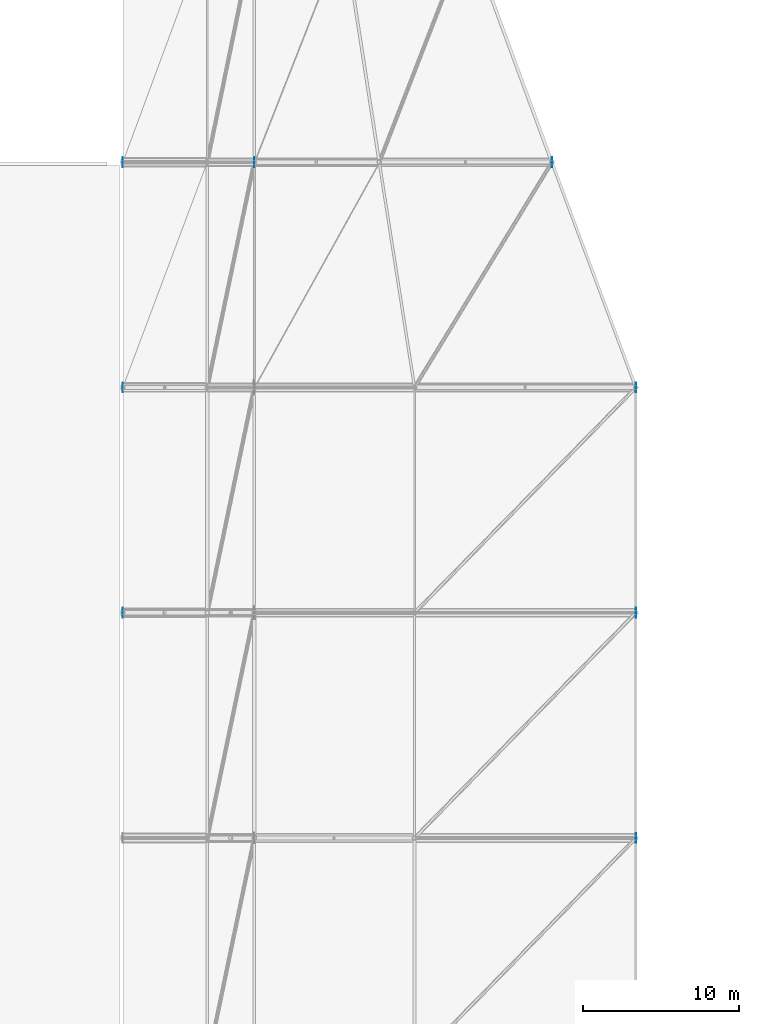
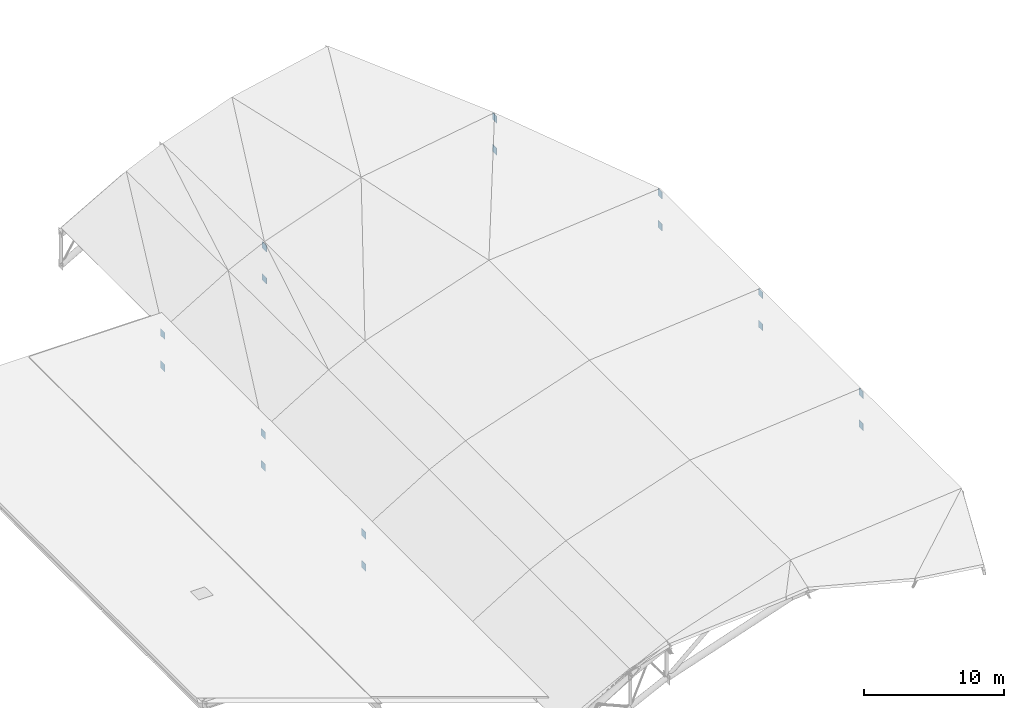
# One storey, part 31 of 36: 16 plates.
"""IFC4 building model written with IfcOpenShell, lengths in metres."""

from ifc_helpers import new_model, si_unit, direction, frame, origin, origin_2d, place, context, subcontext, project, spatial, rectangle, extrude, material, layer, layer_set, type_object, element, save


model = new_model("IFC4")

# Units and contexts
model_context = context("Model", 3, precision=1e-05, world=origin(), true_north=direction((0.0, 1.0)))
body_context = subcontext(model_context, "Body", "Model", "MODEL_VIEW")
ifc_project = project(units=[si_unit("LENGTHUNIT", "METRE"), si_unit("AREAUNIT", "SQUARE_METRE"), si_unit("VOLUMEUNIT", "CUBIC_METRE"), si_unit("PLANEANGLEUNIT", "RADIAN"), si_unit("MASSUNIT", "GRAM", prefix="KILO")], contexts=[model_context])

# Site, building, storey
site_placement = place(None, origin())
site = spatial("IfcSite", under=ifc_project, at=site_placement, CompositionType="ELEMENT")
building_placement = place(site_placement, origin())
building = spatial("IfcBuilding", under=site, at=building_placement, Name="Koshinbarg Plaza Stadium", CompositionType="ELEMENT")
storey_placement = place(building_placement, frame((0.0, 0.0, 34.199951171875)))
storey = spatial("IfcBuildingStorey", under=building, at=storey_placement, Name="RF", CompositionType="ELEMENT", Elevation=34.199951171875)

# Plates
ifc_material = material(Name="Steel S355", Category="steel")
ifc_layer_1 = layer(ifc_material, 0.02490234375)
ifc_layer_set_1 = layer_set([ifc_layer_1], Name="Steel S355")
plate_type_1 = type_object("IfcPlateType", Name="PLT-GUS-01", PredefinedType="USERDEFINED", material=ifc_layer_set_1)
for number, where, z_axis, x_axis, name in (
    (1, (54.60009765625, 111.89990234375, 2.421875), (0.0, 0.0, 1.0), (1.0, 0.0, 0.0), "Roof truss node cap plate KN-03 WRB-07-3T"),
    (2, (54.60009765625, 111.89990234375, -0.3779296875), (0.0, 0.0, 1.0), (1.0, 0.0, 0.0), "Roof truss node cap plate KN-03 WRB-07-3B"),
):
    element("IfcPlate", number, at=place(storey_placement, frame(where, z_axis=z_axis, x_axis=x_axis)), inside=storey, type_object=plate_type_1, Name=name, ObjectType="GUSSET_PLATE", PredefinedType="USERDEFINED", context=body_context, shape_type="SweptSolid", body=[
        extrude(rectangle(XDim=0.02490234375, YDim=0.64990234375, at=origin_2d()), origin(), (0.0, 0.0, 1.0), 0.550048828125),
    ])
ifc_layer_2 = layer(ifc_material, 0.02001953125)
ifc_layer_set_2 = layer_set([ifc_layer_2], Name="Steel S355")
plate_type_2 = type_object("IfcPlateType", Name="PLT-GUS-04", PredefinedType="USERDEFINED", material=ifc_layer_set_2)
for number, where, z_axis, x_axis, name in (
    (3, (79.0, 68.699951171875, 7.236328125), (0.0, 0.0, 1.0), (1.0, 0.0, 0.0), "Roof truss node cap plate KN-02 WRB-04-5T"),
    (4, (79.0, 68.699951171875, 4.436279296875), (0.0, 0.0, 1.0), (1.0, 0.0, 0.0), "Roof truss node cap plate KN-02 WRB-04-5B"),
    (5, (46.199951171875, 83.10009765625, -2.31005859375), (0.0, 0.0, 1.0), (1.0, 0.0, 0.0), "Roof truss node cap plate KN-01 WRB-05-1T"),
    (6, (46.199951171875, 83.10009765625, -5.110107421875), (0.0, 0.0, 1.0), (1.0, 0.0, 0.0), "Roof truss node cap plate KN-01 WRB-05-1B"),
    (7, (79.0, 83.10009765625, 7.236328125), (0.0, 0.0, 1.0), (1.0, 0.0, 0.0), "Roof truss node cap plate KN-02 WRB-05-5T"),
    (8, (79.0, 83.10009765625, 4.436279296875), (0.0, 0.0, 1.0), (1.0, 0.0, 0.0), "Roof truss node cap plate KN-02 WRB-05-5B"),
    (9, (46.199951171875, 97.5, -2.31005859375), (0.0, 0.0, 1.0), (1.0, 0.0, 0.0), "Roof truss node cap plate KN-01 WRB-06-1T"),
    (10, (46.199951171875, 97.5, -5.110107421875), (0.0, 0.0, 1.0), (1.0, 0.0, 0.0), "Roof truss node cap plate KN-01 WRB-06-1B"),
    (11, (79.0, 97.5, 7.236328125), (0.0, 0.0, 1.0), (1.0, 0.0, 0.0), "Roof truss node cap plate KN-02 WRB-06-5T"),
    (12, (79.0, 97.5, 4.436279296875), (0.0, 0.0, 1.0), (1.0, 0.0, 0.0), "Roof truss node cap plate KN-02 WRB-06-5B"),
    (13, (46.199951171875, 111.89990234375, -2.31005859375), (0.0, 0.0, 1.0), (1.0, 0.0, 0.0), "Roof truss node cap plate KN-01 WRB-07-1T"),
    (14, (46.199951171875, 111.89990234375, -5.110107421875), (0.0, 0.0, 1.0), (1.0, 0.0, 0.0), "Roof truss node cap plate KN-01 WRB-07-1B"),
    (15, (73.632080078125, 111.89990234375, 7.00927734375), (0.0, 0.0, 1.0), (1.0, 0.0, 0.0), "Roof truss node cap plate KN-02 WRB-07-5T"),
    (16, (73.632080078125, 111.89990234375, 4.209228515625), (0.0, 0.0, 1.0), (1.0, 0.0, 0.0), "Roof truss node cap plate KN-02 WRB-07-5B"),
):
    element("IfcPlate", number, at=place(storey_placement, frame(where, z_axis=z_axis, x_axis=x_axis)), inside=storey, type_object=plate_type_2, Name=name, ObjectType="GUSSET_PLATE", PredefinedType="USERDEFINED", context=body_context, shape_type="SweptSolid", body=[
        extrude(rectangle(XDim=0.02001953125, YDim=0.6201171875, at=origin_2d()), origin(), (0.0, 0.0, 1.0), 0.6201171875),
    ])

save(model, "model.ifc")
